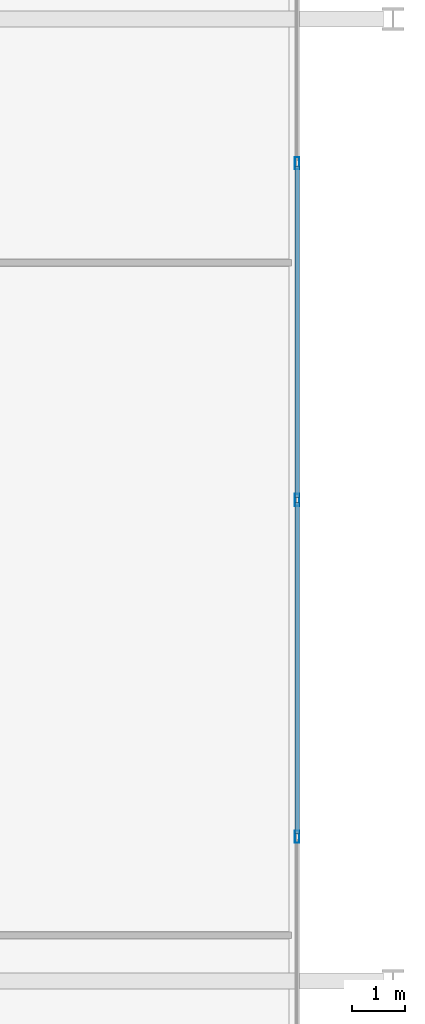
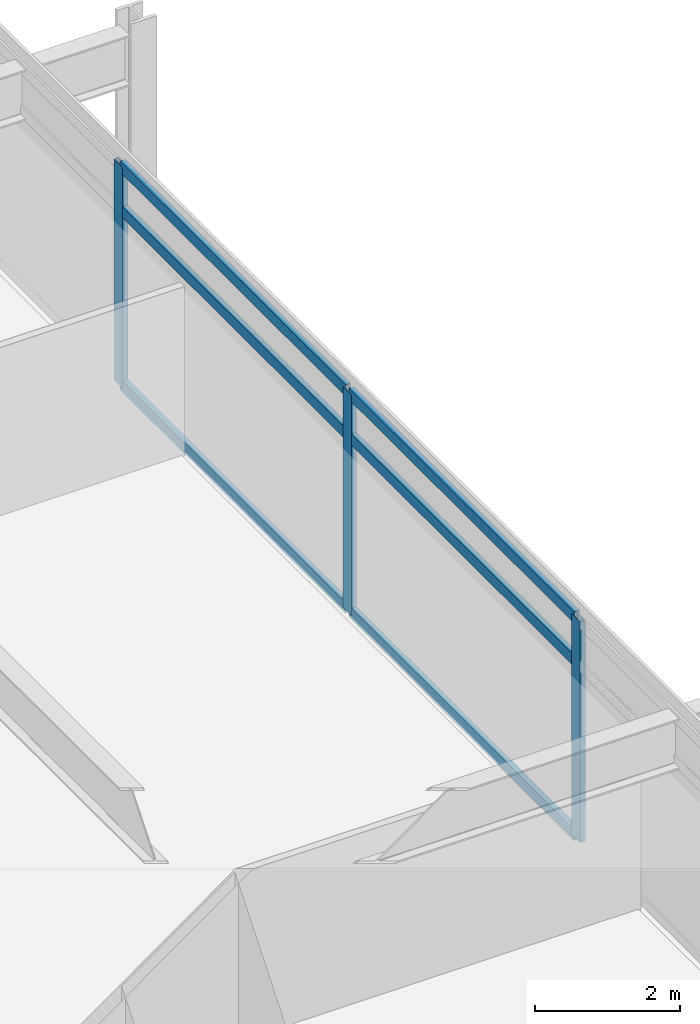
# One storey, part 4 of 22: 9 members, 1 element without a shape of its own.
"""IFC4 building model written with IfcOpenShell, lengths in metres."""

from ifc_helpers import new_model, si_unit, direction, frame, origin, origin_2d, place, context, subcontext, project, spatial, hollow_rectangle, extrude, material, material_profile, profile_set, type_object, element, aggregate, save


model = new_model("IFC4")

# Units and contexts
model_context = context("Model", 3, precision=1e-05, world=origin(), true_north=direction((0.0, 1.0)))
body_context = subcontext(model_context, "Body", "Model", "MODEL_VIEW")
ifc_project = project(units=[si_unit("LENGTHUNIT", "METRE"), si_unit("AREAUNIT", "SQUARE_METRE"), si_unit("VOLUMEUNIT", "CUBIC_METRE"), si_unit("PLANEANGLEUNIT", "RADIAN"), si_unit("MASSUNIT", "GRAM", prefix="KILO")], contexts=[model_context])

# Site, building, storey
site_placement = place(None, origin())
site = spatial("IfcSite", under=ifc_project, at=site_placement, CompositionType="ELEMENT")
building_placement = place(site_placement, origin())
building = spatial("IfcBuilding", under=site, at=building_placement, Name="Kovane Verandah Tower", CompositionType="ELEMENT")
storey_placement = place(building_placement, frame((0.0, 0.0, 59.60009765625)))
storey = spatial("IfcBuildingStorey", under=building, at=storey_placement, Name="L13", CompositionType="ELEMENT", Elevation=59.60009765625)

# Curtain wall, members
ifc_material_1 = material(Name="Champagne Anodised Aluminium Frame with Low-E Clear Laminated Glass", Category="aluminium")
curtain_wall_type = type_object("IfcCurtainWallType", Name="CW-SYS-02-LOW", PredefinedType="NOTDEFINED", material=ifc_material_1)
curtain_wall_placement = place(storey_placement, origin())
curtain_wall = element("IfcCurtainWall", 1, at=curtain_wall_placement, inside=storey, type_object=curtain_wall_type, Name="L13 E Unitised Curtain Wall", PredefinedType="NOTDEFINED")
ifc_material_2 = material(Name="Champagne Anodised Aluminium 6063-T6", Category="aluminium")
ifc_material_profile_1 = material_profile(ifc_material_2, hollow_rectangle(XDim=0.0849609375, YDim=0.22998046875, WallThickness=0.00390625, at=origin_2d()), Name="AL85x230x4")
ifc_profile_set_1 = profile_set([ifc_material_profile_1], Name="Champagne Anodised Aluminium 6063-T6")
member_type_1 = type_object("IfcMemberType", Name="CW-MUL-85x230", PredefinedType="MULLION", material=ifc_profile_set_1)
member_1_placement = place(storey_placement, frame((65.80517578125, 21.19873046875, 0.02001953125), z_axis=(0.0, 0.0, 1.0), x_axis=(1.0, 0.0, 0.0)))
member_1 = element("IfcMember", 2, at=member_1_placement, type_object=member_type_1, Name="L13 E Unitised Curtain Wall Mullion 3", PredefinedType="MULLION", context=body_context, shape_type="SweptSolid", body=[
    extrude(hollow_rectangle(XDim=0.0849609375, YDim=0.22998046875, WallThickness=0.00390625, at=origin_2d()), origin(), (0.0, 0.0, 1.0), 3.719970703125),
])
member_2_placement = place(storey_placement, frame((65.80517578125, 27.5, 0.02001953125), z_axis=(0.0, 0.0, 1.0), x_axis=(1.0, 0.0, 0.0)))
member_2 = element("IfcMember", 3, at=member_2_placement, type_object=member_type_1, Name="L13 E Unitised Curtain Wall Mullion 4", PredefinedType="MULLION", context=body_context, shape_type="SweptSolid", body=[
    extrude(hollow_rectangle(XDim=0.0849609375, YDim=0.22998046875, WallThickness=0.00390625, at=origin_2d()), origin(), (0.0, 0.0, 1.0), 3.719970703125),
])
member_3_placement = place(storey_placement, frame((65.80517578125, 33.80126953125, 0.02001953125), z_axis=(0.0, 0.0, 1.0), x_axis=(1.0, 0.0, 0.0)))
member_3 = element("IfcMember", 4, at=member_3_placement, type_object=member_type_1, Name="L13 E Unitised Curtain Wall Mullion 5", PredefinedType="MULLION", context=body_context, shape_type="SweptSolid", body=[
    extrude(hollow_rectangle(XDim=0.0849609375, YDim=0.22998046875, WallThickness=0.00390625, at=origin_2d()), origin(), (0.0, 0.0, 1.0), 3.719970703125),
])
ifc_material_profile_2 = material_profile(ifc_material_2, hollow_rectangle(XDim=0.0849609375, YDim=0.18994140625, WallThickness=0.00390625, at=origin_2d()), Name="AL85x190x4")
ifc_profile_set_2 = profile_set([ifc_material_profile_2], Name="Champagne Anodised Aluminium 6063-T6")
member_type_2 = type_object("IfcMemberType", Name="CW-TRN-85x190", PredefinedType="USERDEFINED", material=ifc_profile_set_2)
member_4_placement = place(storey_placement, frame((65.80517578125, 21.248779296875, 0.0498046875), z_axis=(0.0, 1.0, 0.0), x_axis=(-1.0, 0.0, 0.0)))
member_4 = element("IfcMember", 5, at=member_4_placement, type_object=member_type_2, Name="L13 E Unitised Curtain Wall Transom TB Bay 3", ObjectType="TRANSOM", PredefinedType="USERDEFINED", context=body_context, shape_type="SweptSolid", body=[
    extrude(hollow_rectangle(XDim=0.0849609375, YDim=0.18994140625, WallThickness=0.00390625, at=origin_2d()), origin(), (0.0, 0.0, 1.0), 6.201171875),
])
member_5_placement = place(storey_placement, frame((65.80517578125, 21.248779296875, 2.97998046875), z_axis=(0.0, 1.0, 0.0), x_axis=(-1.0, 0.0, 0.0)))
member_5 = element("IfcMember", 6, at=member_5_placement, type_object=member_type_2, Name="L13 E Unitised Curtain Wall Transom TM Bay 3", ObjectType="TRANSOM", PredefinedType="USERDEFINED", context=body_context, shape_type="SweptSolid", body=[
    extrude(hollow_rectangle(XDim=0.0849609375, YDim=0.18994140625, WallThickness=0.00390625, at=origin_2d()), origin(), (0.0, 0.0, 1.0), 6.201171875),
])
member_6_placement = place(storey_placement, frame((65.80517578125, 21.248779296875, 3.7099609375), z_axis=(0.0, 1.0, 0.0), x_axis=(-1.0, 0.0, 0.0)))
member_6 = element("IfcMember", 7, at=member_6_placement, type_object=member_type_2, Name="L13 E Unitised Curtain Wall Transom TT Bay 3", ObjectType="TRANSOM", PredefinedType="USERDEFINED", context=body_context, shape_type="SweptSolid", body=[
    extrude(hollow_rectangle(XDim=0.0849609375, YDim=0.18994140625, WallThickness=0.00390625, at=origin_2d()), origin(), (0.0, 0.0, 1.0), 6.201171875),
])
member_7_placement = place(storey_placement, frame((65.80517578125, 27.550048828125, 0.0498046875), z_axis=(0.0, 1.0, 0.0), x_axis=(-1.0, 0.0, 0.0)))
member_7 = element("IfcMember", 8, at=member_7_placement, type_object=member_type_2, Name="L13 E Unitised Curtain Wall Transom TB Bay 4", ObjectType="TRANSOM", PredefinedType="USERDEFINED", context=body_context, shape_type="SweptSolid", body=[
    extrude(hollow_rectangle(XDim=0.0849609375, YDim=0.18994140625, WallThickness=0.00390625, at=origin_2d()), origin(), (0.0, 0.0, 1.0), 6.201171875),
])
member_8_placement = place(storey_placement, frame((65.80517578125, 27.550048828125, 2.97998046875), z_axis=(0.0, 1.0, 0.0), x_axis=(-1.0, 0.0, 0.0)))
member_8 = element("IfcMember", 9, at=member_8_placement, type_object=member_type_2, Name="L13 E Unitised Curtain Wall Transom TM Bay 4", ObjectType="TRANSOM", PredefinedType="USERDEFINED", context=body_context, shape_type="SweptSolid", body=[
    extrude(hollow_rectangle(XDim=0.0849609375, YDim=0.18994140625, WallThickness=0.00390625, at=origin_2d()), origin(), (0.0, 0.0, 1.0), 6.201171875),
])
member_9_placement = place(storey_placement, frame((65.80517578125, 27.550048828125, 3.7099609375), z_axis=(0.0, 1.0, 0.0), x_axis=(-1.0, 0.0, 0.0)))
member_9 = element("IfcMember", 10, at=member_9_placement, type_object=member_type_2, Name="L13 E Unitised Curtain Wall Transom TT Bay 4", ObjectType="TRANSOM", PredefinedType="USERDEFINED", context=body_context, shape_type="SweptSolid", body=[
    extrude(hollow_rectangle(XDim=0.0849609375, YDim=0.18994140625, WallThickness=0.00390625, at=origin_2d()), origin(), (0.0, 0.0, 1.0), 6.201171875),
])
aggregate(curtain_wall, [member_1, member_2, member_3, member_4, member_5, member_6, member_7, member_8, member_9])

save(model, "model.ifc")
